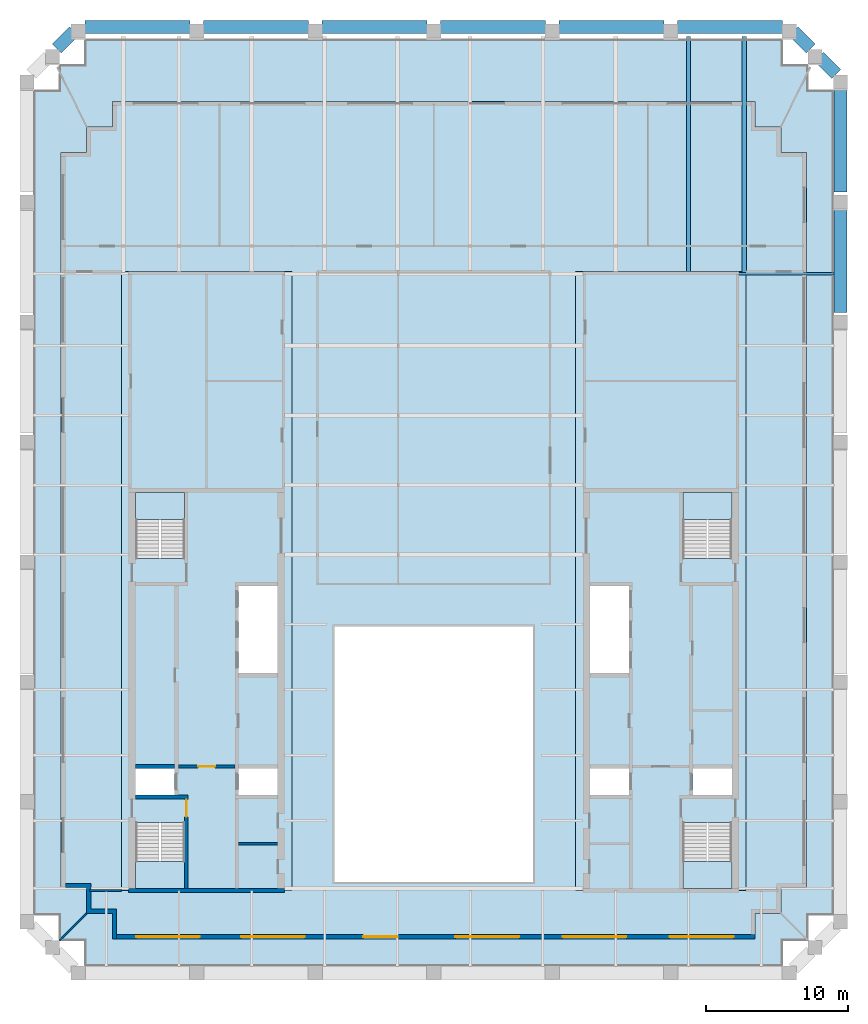
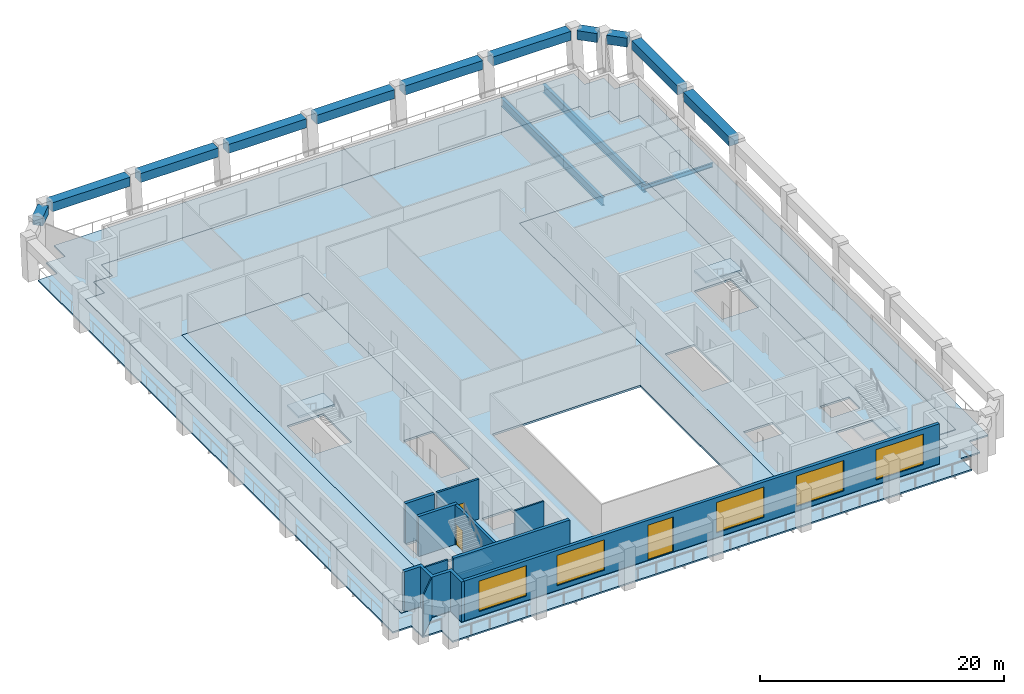
# One storey, part 2 of 7: 14 beams, 10 walls, 8 slabs, 5 windows, 3 doors, 8 openings, 4 elements without a shape of their own.
"""IFC4 building model written with IfcOpenShell, lengths in metres."""

from ifc_helpers import new_model, si_unit, direction, frame, frame_2d, origin, origin_2d, place, context, subcontext, project, spatial, polyline, rectangle, i_section, outline, extrude, material, layer, layer_set, material_profile, profile_set, type_object, element, fill, aggregate, save


model = new_model("IFC4")

# Units and contexts
model_context = context("Model", 3, precision=1e-05, world=origin(), true_north=direction((0.0, 1.0)))
body_context = subcontext(model_context, "Body", "Model", "MODEL_VIEW")
ifc_project = project(units=[si_unit("LENGTHUNIT", "METRE"), si_unit("AREAUNIT", "SQUARE_METRE"), si_unit("VOLUMEUNIT", "CUBIC_METRE"), si_unit("PLANEANGLEUNIT", "RADIAN"), si_unit("MASSUNIT", "GRAM", prefix="KILO")], contexts=[model_context])

# Site, building, storey
site_placement = place(None, origin())
site = spatial("IfcSite", under=ifc_project, at=site_placement, CompositionType="ELEMENT")
building_placement = place(site_placement, origin())
building = spatial("IfcBuilding", under=site, at=building_placement, Name="Ogive Exchange Tower", CompositionType="ELEMENT")
storey_placement = place(building_placement, frame((0.0, 0.0, 330.0)))
storey = spatial("IfcBuildingStorey", under=building, at=storey_placement, Name="L72", CompositionType="ELEMENT", Elevation=330.0)

# Beams
ifc_material_1 = material(Name="Steel ASTM A992 Gr50", Category="steel")
ifc_material_profile_1 = material_profile(ifc_material_1, i_section(OverallWidth=0.2919921875, OverallDepth=0.8359375, WebThickness=0.013916015625, FlangeThickness=0.018798828125, at=origin_2d()), Name="W840x176")
ifc_profile_set_1 = profile_set([ifc_material_profile_1], Name="Steel ASTM A992 Gr50")
beam_type_1 = type_object("IfcBeamType", Name="Floor beam W840x176", PredefinedType="JOIST", material=ifc_profile_set_1)
beam_1_placement = place(storey_placement, frame((17.945556640625, 41.0, -0.617919921875), z_axis=(0.0, 1.0, 0.0), x_axis=(-1.0, 0.0, 0.0)))
element("IfcBeam", 1, at=beam_1_placement, inside=storey, type_object=beam_type_1, Name="Floor beam", PredefinedType="JOIST", context=body_context, shape_type="SweptSolid", body=[
    extrude(i_section(OverallWidth=0.2919921875, OverallDepth=0.8359375, WebThickness=0.013916015625, FlangeThickness=0.018798828125, at=origin_2d()), origin(), (0.0, 0.0, 1.0), 16.554443359375),
])
beam_2_placement = place(storey_placement, frame((21.872802734375, 40.93408203125, -0.617919921875), z_axis=(0.0, 1.0, 0.0), x_axis=(-1.0, 0.0, 0.0)))
element("IfcBeam", 2, at=beam_2_placement, inside=storey, type_object=beam_type_1, Name="Floor beam", PredefinedType="JOIST", context=body_context, shape_type="SweptSolid", body=[
    extrude(i_section(OverallWidth=0.2919921875, OverallDepth=0.8359375, WebThickness=0.013916015625, FlangeThickness=0.018798828125, at=origin_2d()), origin(), (0.0, 0.0, 1.0), 16.620361328125),
])
ifc_material_profile_2 = material_profile(ifc_material_1, i_section(OverallWidth=0.177978515625, OverallDepth=0.406005859375, WebThickness=0.0078125, FlangeThickness=0.0126953125, at=origin_2d()), Name="W410x60")
ifc_profile_set_2 = profile_set([ifc_material_profile_2], Name="Steel ASTM A992 Gr50")
beam_type_2 = type_object("IfcBeamType", Name="Girder W410x60", PredefinedType="BEAM", material=ifc_profile_set_2)
beam_3_placement = place(storey_placement, frame((21.47998046875, 40.844970703125, -0.403076171875), z_axis=(1.0, 0.0, 0.0), x_axis=(0.0, 1.0, 0.0)))
element("IfcBeam", 3, at=beam_3_placement, inside=storey, type_object=beam_type_2, Name="Header girder", PredefinedType="BEAM", context=body_context, shape_type="SweptSolid", body=[
    extrude(i_section(OverallWidth=0.177978515625, OverallDepth=0.406005859375, WebThickness=0.0078125, FlangeThickness=0.0126953125, at=origin_2d()), origin(), (0.0, 0.0, 1.0), 6.719970703125),
])
ifc_material_2 = material(Name="Precast concrete C70/85 (limestone faced)", Category="masonry")
ifc_material_profile_3 = material_profile(ifc_material_2, rectangle(XDim=0.89990234375, YDim=0.89990234375, at=origin_2d()), Name="900 x 900")
ifc_profile_set_3 = profile_set([ifc_material_profile_3], Name="Precast concrete C70/85 (limestone faced)")
beam_type_3 = type_object("IfcBeamType", Name="Precast spandrel 900 x 900 C70/85", PredefinedType="SPANDREL", material=ifc_profile_set_3)
for number, where, z_axis, x_axis, name in (
    (4, (28.64990234375, 38.134521484375, 3.5), (0.0, 1.0, 0.0), (-1.0, 0.0, 0.0), "Spandrel 14"),
    (5, (28.64990234375, 46.62548828125, 3.5), (0.0, 1.0, 0.0), (-1.0, 0.0, 0.0), "Spandrel 15"),
):
    element("IfcBeam", number, at=place(storey_placement, frame(where, z_axis=z_axis, x_axis=x_axis)), inside=storey, type_object=beam_type_3, Name=name, PredefinedType="SPANDREL", context=body_context, shape_type="SweptSolid", body=[
        extrude(rectangle(XDim=0.89990234375, YDim=0.89990234375, at=origin_2d()), origin(), (0.0, 0.0, 1.0), 7.531005859375),
    ])
beam_4_placement = place(storey_placement, frame((28.362060546875, 54.92431640625, 3.5), z_axis=(-0.707106781187, 0.707106781187, 0.0), x_axis=(-0.707106781187, -0.707106781187, 0.0)))
element("IfcBeam", 6, at=beam_4_placement, inside=storey, type_object=beam_type_3, Name="Spandrel 16", PredefinedType="SPANDREL", context=body_context, shape_type="SweptSolid", body=[
    extrude(rectangle(XDim=0.89990234375, YDim=0.89990234375, at=origin_2d()), origin(), (0.0, 0.0, 1.0), 1.731201171875),
])
beam_5_placement = place(storey_placement, frame((26.56201171875, 56.72412109375, 3.5), z_axis=(-0.707036271462, 0.707177283881, 0.0), x_axis=(-0.707177283881, -0.707036271462, 0.0)))
element("IfcBeam", 7, at=beam_5_placement, inside=storey, type_object=beam_type_3, Name="Spandrel 17", PredefinedType="SPANDREL", context=body_context, shape_type="SweptSolid", body=[
    extrude(rectangle(XDim=0.89990234375, YDim=0.89990234375, at=origin_2d()), origin(), (0.0, 0.0, 1.0), 1.7314453125),
])
beam_6_placement = place(storey_placement, frame((24.570068359375, 58.236328125, 3.5), z_axis=(-1.0, 0.0, 0.0), x_axis=(0.0, -1.0, 0.0)))
element("IfcBeam", 8, at=beam_6_placement, inside=storey, type_object=beam_type_3, Name="Spandrel 18", PredefinedType="SPANDREL", context=body_context, shape_type="SweptSolid", body=[
    extrude(rectangle(XDim=0.89990234375, YDim=0.89990234375, at=origin_2d()), origin(), (0.0, 0.0, 1.0), 7.39013671875),
])
beam_7_placement = place(storey_placement, frame((16.219970703125, 58.236328125, 3.5), z_axis=(-1.0, 0.0, 0.0), x_axis=(0.0, -1.0, 0.0)))
element("IfcBeam", 9, at=beam_7_placement, inside=storey, type_object=beam_type_3, Name="Spandrel 19", PredefinedType="SPANDREL", context=body_context, shape_type="SweptSolid", body=[
    extrude(rectangle(XDim=0.89990234375, YDim=0.89990234375, at=origin_2d()), origin(), (0.0, 0.0, 1.0), 7.389892578125),
])
for number, where, z_axis, x_axis, name in (
    (10, (7.8701171875, 58.236328125, 3.5), (-1.0, 0.0, 0.0), (0.0, -1.0, 0.0), "Spandrel 20"),
    (11, (-0.47998046875, 58.236328125, 3.5), (-1.0, 0.0, 0.0), (0.0, -1.0, 0.0), "Spandrel 21"),
):
    element("IfcBeam", number, at=place(storey_placement, frame(where, z_axis=z_axis, x_axis=x_axis)), inside=storey, type_object=beam_type_3, Name=name, PredefinedType="SPANDREL", context=body_context, shape_type="SweptSolid", body=[
        extrude(rectangle(XDim=0.89990234375, YDim=0.89990234375, at=origin_2d()), origin(), (0.0, 0.0, 1.0), 7.39013671875),
    ])
beam_8_placement = place(storey_placement, frame((-8.830078125, 58.236328125, 3.5), z_axis=(-1.0, 0.0, 0.0), x_axis=(0.0, -1.0, 0.0)))
element("IfcBeam", 12, at=beam_8_placement, inside=storey, type_object=beam_type_3, Name="Spandrel 22", PredefinedType="SPANDREL", context=body_context, shape_type="SweptSolid", body=[
    extrude(rectangle(XDim=0.89990234375, YDim=0.89990234375, at=origin_2d()), origin(), (0.0, 0.0, 1.0), 7.389892578125),
])
beam_9_placement = place(storey_placement, frame((-17.179931640625, 58.236328125, 3.5), z_axis=(-1.0, 0.0, 0.0), x_axis=(0.0, -1.0, 0.0)))
element("IfcBeam", 13, at=beam_9_placement, inside=storey, type_object=beam_type_3, Name="Spandrel 23", PredefinedType="SPANDREL", context=body_context, shape_type="SweptSolid", body=[
    extrude(rectangle(XDim=0.89990234375, YDim=0.89990234375, at=origin_2d()), origin(), (0.0, 0.0, 1.0), 7.39013671875),
])
beam_10_placement = place(storey_placement, frame((-25.337890625, 57.948486328125, 3.5), z_axis=(-0.707036271462, -0.707177283881, 0.0), x_axis=(0.707177283881, -0.707036271462, 0.0)))
element("IfcBeam", 14, at=beam_10_placement, inside=storey, type_object=beam_type_3, Name="Spandrel 24", PredefinedType="SPANDREL", context=body_context, shape_type="SweptSolid", body=[
    extrude(rectangle(XDim=0.89990234375, YDim=0.89990234375, at=origin_2d()), origin(), (0.0, 0.0, 1.0), 1.7314453125),
])

# Slabs
ifc_material_3 = material(Name="Concrete C50/60", Category="concrete")
ifc_layer_1 = layer(ifc_material_3, 0.199951171875)
ifc_layer_set_1 = layer_set([ifc_layer_1], Name="Composite floor slab 200")
slab_type_1 = type_object("IfcSlabType", Name="Composite floor slab 200", PredefinedType="FLOOR", material=ifc_layer_set_1)
slab_1_placement = place(storey_placement, frame((0.0, 0.0, -0.199951171875)))
element("IfcSlab", 15, at=slab_1_placement, inside=storey, type_object=slab_type_1, Name="Composite floor slab", PredefinedType="FLOOR", context=body_context, shape_type="SweptSolid", body=[
    extrude(outline(polyline([(-22.64990234375, -4.199951171875), (-24.449951171875, -4.199951171875), (-24.449951171875, -2.39990234375), (-26.25, -2.39990234375), (-26.25, 49.39990234375), (-24.449951171875, 49.39990234375), (-24.449951171875, 51.199951171875), (-22.64990234375, 51.199951171875), (-22.64990234375, 53.0), (22.64990234375, 53.0), (22.64990234375, 51.199951171875), (24.449951171875, 51.199951171875), (24.449951171875, 49.39990234375), (26.25, 49.39990234375), (26.25, -2.39990234375), (24.449951171875, -2.39990234375), (24.449951171875, -4.199951171875), (22.64990234375, -4.199951171875), (22.64990234375, -6.0), (-22.64990234375, -6.0), (-22.64990234375, -4.199951171875)]), holes=[polyline([(7.0, -2.0), (7.0, 16.0), (-7.0, 16.0), (-7.0, -2.0), (7.0, -2.0)]), polyline([(-22.0, -2.60009765625), (-10.0, -2.60009765625), (-10.0, 41.0), (-22.0, 41.0), (-22.0, -2.60009765625)]), polyline([(10.0, -2.60009765625), (22.0, -2.60009765625), (22.0, 41.0), (10.0, 41.0), (10.0, -2.60009765625)])]), origin(), (0.0, 0.0, 1.0), 0.199951171875),
])
ifc_material_4 = material(Name="Concrete C70/85", Category="concrete")
ifc_layer_2 = layer(ifc_material_4, 0.199951171875)
ifc_layer_set_2 = layer_set([ifc_layer_2], Name="Core floor slab 200")
slab_type_2 = type_object("IfcSlabType", Name="Core floor slab 200", PredefinedType="FLOOR", material=ifc_layer_set_2)
slab_2_placement = place(storey_placement, frame((0.0, 0.0, -0.199951171875)))
element("IfcSlab", 16, at=slab_2_placement, inside=storey, type_object=slab_type_2, Name="Core floor slab", PredefinedType="FLOOR", context=body_context, shape_type="SweptSolid", body=[
    extrude(outline(polyline([(-22.0, -2.60009765625), (-22.0, 41.0), (-10.0, 41.0), (-10.0, -2.60009765625), (-22.0, -2.60009765625)]), holes=[polyline([(-17.550048828125, 2.196044921875), (-21.0, 2.196044921875), (-21.0, -2.449951171875), (-17.550048828125, -2.449951171875), (-17.550048828125, 2.196044921875)]), polyline([(-21.0, 5.992919921875), (-21.0, 4.14990234375), (-18.25, 4.14990234375), (-18.25, 5.992919921875), (-21.0, 5.992919921875)]), polyline([(-13.75, 5.992919921875), (-13.75, 4.14990234375), (-11.0, 4.14990234375), (-11.0, 5.992919921875), (-13.75, 5.992919921875)]), polyline([(-11.0, 18.85009765625), (-13.75, 18.85009765625), (-13.75, 12.721435546875), (-11.0, 12.721435546875), (-11.0, 18.85009765625)]), polyline([(-21.0, 25.449951171875), (-21.0, 20.803955078125), (-17.550048828125, 20.803955078125), (-17.550048828125, 25.449951171875), (-21.0, 25.449951171875)])]), origin(), (0.0, 0.0, 1.0), 0.199951171875),
])
slab_3_placement = place(storey_placement, frame((0.0, 0.0, -0.199951171875)))
element("IfcSlab", 17, at=slab_3_placement, inside=storey, type_object=slab_type_2, Name="Core floor slab", PredefinedType="FLOOR", context=body_context, shape_type="SweptSolid", body=[
    extrude(outline(polyline([(10.0, -2.60009765625), (10.0, 41.0), (22.0, 41.0), (22.0, -2.60009765625), (10.0, -2.60009765625)]), holes=[polyline([(21.0, 2.196044921875), (17.550048828125, 2.196044921875), (17.550048828125, -2.449951171875), (21.0, -2.449951171875), (21.0, 2.196044921875)]), polyline([(11.0, 5.992919921875), (11.0, 4.14990234375), (13.75, 4.14990234375), (13.75, 5.992919921875), (11.0, 5.992919921875)]), polyline([(18.25, 5.992919921875), (18.25, 4.14990234375), (21.0, 4.14990234375), (21.0, 5.992919921875), (18.25, 5.992919921875)]), polyline([(13.75, 18.85009765625), (11.0, 18.85009765625), (11.0, 12.721435546875), (13.75, 12.721435546875), (13.75, 18.85009765625)]), polyline([(17.550048828125, 25.449951171875), (17.550048828125, 20.803955078125), (21.0, 20.803955078125), (21.0, 25.449951171875), (17.550048828125, 25.449951171875)])]), origin(), (0.0, 0.0, 1.0), 0.199951171875),
])
ifc_layer_3 = layer(ifc_material_3, 0.14990234375)
ifc_layer_set_3 = layer_set([ifc_layer_3], Name="Loggia deck 150")
slab_type_3 = type_object("IfcSlabType", Name="Loggia deck 150", PredefinedType="FLOOR", material=ifc_layer_set_3)
slab_4_placement = place(storey_placement, frame((0.0, 0.0, -0.199951171875)))
element("IfcSlab", 18, at=slab_4_placement, inside=storey, type_object=slab_type_3, Name="Loggia deck", PredefinedType="FLOOR", context=body_context, shape_type="SweptSolid", body=[
    extrude(outline(polyline([(-24.60009765625, -6.14990234375), (-26.39990234375, -6.14990234375), (-26.39990234375, -4.35009765625), (-28.199951171875, -4.35009765625), (-28.199951171875, 53.804443359375), (-26.39990234375, 53.804443359375), (-26.39990234375, 55.6044921875), (-24.60009765625, 55.6044921875), (-24.60009765625, 57.404541015625), (24.60009765625, 57.404541015625), (24.60009765625, 55.6044921875), (26.39990234375, 55.6044921875), (26.39990234375, 53.804443359375), (28.199951171875, 53.804443359375), (28.199951171875, -4.35009765625), (26.39990234375, -4.35009765625), (26.39990234375, -6.14990234375), (24.60009765625, -6.14990234375), (24.60009765625, -7.949951171875), (-24.60009765625, -7.949951171875), (-24.60009765625, -6.14990234375)]), holes=[polyline([(22.64990234375, -4.199951171875), (24.449951171875, -4.199951171875), (24.449951171875, -2.39990234375), (26.25, -2.39990234375), (26.25, 49.39990234375), (24.449951171875, 49.39990234375), (24.449951171875, 51.199951171875), (22.64990234375, 51.199951171875), (22.64990234375, 53.0), (-22.64990234375, 53.0), (-22.64990234375, 51.199951171875), (-24.449951171875, 51.199951171875), (-24.449951171875, 49.39990234375), (-26.25, 49.39990234375), (-26.25, -2.39990234375), (-24.449951171875, -2.39990234375), (-24.449951171875, -4.199951171875), (-22.64990234375, -4.199951171875), (-22.64990234375, -6.0), (22.64990234375, -6.0), (22.64990234375, -4.199951171875)])]), origin(), (0.0, 0.0, 1.0), 0.14990234375),
])

# Stair, slab
ifc_material_5 = material(Name="Concrete C40/50", Category="concrete")
stair_type = type_object("IfcStairType", Name="Exit stair 1650 wide", PredefinedType="HALF_TURN_STAIR", material=ifc_material_5)
stair_1_placement = place(storey_placement, origin())
stair_1 = element("IfcStair", 19, at=stair_1_placement, inside=storey, type_object=stair_type, Name="L72 exit stair ST1", PredefinedType="HALF_TURN_STAIR")
ifc_layer_4 = layer(ifc_material_5, 0.199951171875)
ifc_layer_set_4 = layer_set([ifc_layer_4], Name="Stair landing 200 slab")
slab_type_4 = type_object("IfcSlabType", Name="Stair landing 200 slab", PredefinedType="LANDING", material=ifc_layer_set_4)
slab_5_placement = place(storey_placement, frame((0.0, 0.0, 1.89990234375)))
slab_5 = element("IfcSlab", 20, at=slab_5_placement, type_object=slab_type_4, Name="ST1 landing 1", PredefinedType="LANDING", context=body_context, shape_type="SweptSolid", body=[
    extrude(outline(polyline([(-21.0, -0.550048828125), (-21.0, -2.449951171875), (-17.550048828125, -2.449951171875), (-17.550048828125, -0.550048828125), (-21.0, -0.550048828125)])), origin(), (0.0, 0.0, 1.0), 0.2001953125),
])
aggregate(stair_1, [slab_5])

stair_2_placement = place(storey_placement, origin())
stair_2 = element("IfcStair", 21, at=stair_2_placement, inside=storey, type_object=stair_type, Name="L72 exit stair ST2", PredefinedType="HALF_TURN_STAIR")
slab_6_placement = place(storey_placement, frame((0.0, 0.0, 1.89990234375)))
slab_6 = element("IfcSlab", 22, at=slab_6_placement, type_object=slab_type_4, Name="ST2 landing 1", PredefinedType="LANDING", context=body_context, shape_type="SweptSolid", body=[
    extrude(outline(polyline([(-17.550048828125, 23.550048828125), (-17.550048828125, 25.449951171875), (-21.0, 25.449951171875), (-21.0, 23.550048828125), (-17.550048828125, 23.550048828125)])), origin(), (0.0, 0.0, 1.0), 0.2001953125),
])
aggregate(stair_2, [slab_6])

stair_3_placement = place(storey_placement, origin())
stair_3 = element("IfcStair", 23, at=stair_3_placement, inside=storey, type_object=stair_type, Name="L72 exit stair ST3", PredefinedType="HALF_TURN_STAIR")
slab_7_placement = place(storey_placement, frame((0.0, 0.0, 1.89990234375)))
slab_7 = element("IfcSlab", 24, at=slab_7_placement, type_object=slab_type_4, Name="ST3 landing 1", PredefinedType="LANDING", context=body_context, shape_type="SweptSolid", body=[
    extrude(outline(polyline([(17.550048828125, -0.550048828125), (17.550048828125, -2.449951171875), (21.0, -2.449951171875), (21.0, -0.550048828125), (17.550048828125, -0.550048828125)])), origin(), (0.0, 0.0, 1.0), 0.2001953125),
])
aggregate(stair_3, [slab_7])

stair_4_placement = place(storey_placement, origin())
stair_4 = element("IfcStair", 25, at=stair_4_placement, inside=storey, type_object=stair_type, Name="L72 exit stair ST4", PredefinedType="HALF_TURN_STAIR")
slab_8_placement = place(storey_placement, frame((0.0, 0.0, 1.89990234375)))
slab_8 = element("IfcSlab", 26, at=slab_8_placement, type_object=slab_type_4, Name="ST4 landing 1", PredefinedType="LANDING", context=body_context, shape_type="SweptSolid", body=[
    extrude(outline(polyline([(21.0, 23.550048828125), (21.0, 25.449951171875), (17.550048828125, 25.449951171875), (17.550048828125, 23.550048828125), (21.0, 23.550048828125)])), origin(), (0.0, 0.0, 1.0), 0.2001953125),
])
aggregate(stair_4, [slab_8])

# Walls
ifc_material_6 = material(Name="Gypsum board partition")
ifc_layer_5 = layer(ifc_material_6, 0.14990234375)
ifc_layer_set_5 = layer_set([ifc_layer_5], Name="Core room partition 150 gypsum")
wall_type_1 = type_object("IfcWallType", Name="Core room partition 150 gypsum", PredefinedType="PARTITIONING", material=ifc_layer_set_5)
wall_1_placement = place(storey_placement, frame((-13.75, 0.699951171875, 0.0), z_axis=(0.0, 0.0, 1.0), x_axis=(1.0, 0.0, 0.0)))
element("IfcWall", 27, at=wall_1_placement, inside=storey, type_object=wall_type_1, Name="W south room partition", PredefinedType="PARTITIONING", context=body_context, shape_type="SweptSolid", body=[
    extrude(rectangle(XDim=2.75, YDim=0.14990234375, at=frame_2d((1.375, 0.0))), origin(), (0.0, 0.0, 1.0), 4.0),
])
ifc_material_7 = material(Name="Fire partition EI 60 150")
ifc_layer_6 = layer(ifc_material_7, 0.14990234375)
ifc_layer_set_6 = layer_set([ifc_layer_6], Name="Fire partition EI 60 150")
wall_type_2 = type_object("IfcWallType", Name="Fire partition EI 60 150", PredefinedType="PARTITIONING", material=ifc_layer_set_6)
wall_2_placement = place(storey_placement, frame((-24.25, -2.60009765625, 0.0), z_axis=(0.0, 0.0, 1.0), x_axis=(1.0, 0.0, 0.0)))
element("IfcWall", 28, at=wall_2_placement, inside=storey, type_object=wall_type_2, Name="L72-PWL-002", PredefinedType="PARTITIONING", context=body_context, shape_type="SweptSolid", body=[
    extrude(rectangle(XDim=2.25, YDim=0.14990234375, at=frame_2d((1.125, 0.0))), origin(), (0.0, 0.0, 1.0), 4.0),
])

# Wall, openings, door, windows
ifc_material_8 = material(Name="Precast concrete C40/50", Category="concrete")
ifc_layer_7 = layer(ifc_material_8, 0.300048828125)
ifc_layer_set_7 = layer_set([ifc_layer_7], Name="Limestone-faced wall 300")
wall_type_3 = type_object("IfcWallType", Name="Limestone-faced wall 300", PredefinedType="STANDARD", material=ifc_layer_set_7)
wall_3_placement = place(storey_placement, frame((-22.35009765625, -5.85009765625, 0.0), z_axis=(0.0, 0.0, 1.0), x_axis=(1.0, 0.0, 0.0)))
wall_3 = element("IfcWall", 29, at=wall_3_placement, inside=storey, type_object=wall_type_3, Name="External wall S1", PredefinedType="STANDARD", context=body_context, shape_type="SweptSolid", body=[
    extrude(rectangle(XDim=45.0, YDim=0.300048828125, at=frame_2d((22.5, 0.0))), origin(), (0.0, 0.0, 1.0), 4.0),
])
opening_1_placement = place(wall_3_placement, frame((1.375, 0.0, 0.449951171875)))
opening_1 = element("IfcOpeningElement", 30, at=opening_1_placement, cuts=wall_3, Name="Opening W1", PredefinedType="OPENING", context=body_context, shape_type="SweptSolid", body=[
    extrude(rectangle(XDim=4.5, YDim=3.050048828125, at=frame_2d((2.25, 1.52490234375))), frame((0.0, 0.159912109375, 0.0), z_axis=(0.0, -1.0, 0.0), x_axis=(1.0, 0.0, 0.0)), (0.0, 0.0, 1.0), 0.320068359375),
])
opening_2_placement = place(wall_3_placement, frame((8.77490234375, 0.0, 0.449951171875)))
opening_2 = element("IfcOpeningElement", 31, at=opening_2_placement, cuts=wall_3, Name="Opening W1", PredefinedType="OPENING", context=body_context, shape_type="SweptSolid", body=[
    extrude(rectangle(XDim=4.5, YDim=3.050048828125, at=frame_2d((2.25, 1.52490234375))), frame((0.0, 0.159912109375, 0.0), z_axis=(0.0, -1.0, 0.0), x_axis=(1.0, 0.0, 0.0)), (0.0, 0.0, 1.0), 0.320068359375),
])
opening_3_placement = place(wall_3_placement, frame((17.375, 0.0, 0.0)))
opening_3 = element("IfcOpeningElement", 32, at=opening_3_placement, cuts=wall_3, Name="Opening D1", PredefinedType="OPENING", context=body_context, shape_type="SweptSolid", body=[
    extrude(rectangle(XDim=2.39990234375, YDim=3.5, at=frame_2d((1.199951171875, 1.75))), frame((0.0, 0.159912109375, 0.0), z_axis=(0.0, -1.0, 0.0), x_axis=(1.0, 0.0, 0.0)), (0.0, 0.0, 1.0), 0.320068359375),
])
opening_4_placement = place(wall_3_placement, frame((23.875, 0.0, 0.449951171875)))
opening_4 = element("IfcOpeningElement", 33, at=opening_4_placement, cuts=wall_3, Name="Opening W1", PredefinedType="OPENING", context=body_context, shape_type="SweptSolid", body=[
    extrude(rectangle(XDim=4.5, YDim=3.050048828125, at=frame_2d((2.25, 1.52490234375))), frame((0.0, 0.159912109375, 0.0), z_axis=(0.0, -1.0, 0.0), x_axis=(1.0, 0.0, 0.0)), (0.0, 0.0, 1.0), 0.320068359375),
])
opening_5_placement = place(wall_3_placement, frame((31.425048828125, 0.0, 0.449951171875)))
opening_5 = element("IfcOpeningElement", 34, at=opening_5_placement, cuts=wall_3, Name="Opening W1", PredefinedType="OPENING", context=body_context, shape_type="SweptSolid", body=[
    extrude(rectangle(XDim=4.5, YDim=3.050048828125, at=frame_2d((2.25, 1.52490234375))), frame((0.0, 0.159912109375, 0.0), z_axis=(0.0, -1.0, 0.0), x_axis=(1.0, 0.0, 0.0)), (0.0, 0.0, 1.0), 0.320068359375),
])
opening_6_placement = place(wall_3_placement, frame((38.97509765625, 0.0, 0.449951171875)))
opening_6 = element("IfcOpeningElement", 35, at=opening_6_placement, cuts=wall_3, Name="Opening W1", PredefinedType="OPENING", context=body_context, shape_type="SweptSolid", body=[
    extrude(rectangle(XDim=4.5, YDim=3.050048828125, at=frame_2d((2.25, 1.52490234375))), frame((0.0, 0.159912109375, 0.0), z_axis=(0.0, -1.0, 0.0), x_axis=(1.0, 0.0, 0.0)), (0.0, 0.0, 1.0), 0.320068359375),
])
ifc_material_9 = material(Name="Clear glass in bronze frame", Category="glass")
door_type_1 = type_object("IfcDoorType", Name="Sliding loggia door 2400 x 3500", OperationType="DOUBLE_DOOR_SLIDING", PredefinedType="DOOR", material=ifc_material_9)
door_1_placement = place(opening_3_placement, origin())
door_1 = element("IfcDoor", 36, at=door_1_placement, inside=storey, type_object=door_type_1, Name="Loggia door S02", OperationType="DOUBLE_DOOR_SLIDING", OverallHeight=3.5, OverallWidth=2.39990234375, PredefinedType="DOOR", context=body_context, shape_type="SweptSolid", body=[
    extrude(rectangle(XDim=2.39990234375, YDim=3.5, at=frame_2d((1.199951171875, 1.75))), frame((0.0, 0.02490234375, 0.0), z_axis=(0.0, -1.0, 0.0), x_axis=(1.0, 0.0, 0.0)), (0.0, 0.0, 1.0), 0.050048828125),
])
fill(opening_3, door_1)
window_type = type_object("IfcWindowType", Name="Twin lancet window 4500 x 3050", PartitioningType="DOUBLE_PANEL_VERTICAL", PredefinedType="WINDOW", material=ifc_material_9)
window_1_placement = place(opening_1_placement, origin())
window_1 = element("IfcWindow", 37, at=window_1_placement, inside=storey, type_object=window_type, Name="Window S00", OverallHeight=3.050048828125, OverallWidth=4.5, PartitioningType="DOUBLE_PANEL_VERTICAL", PredefinedType="WINDOW", context=body_context, shape_type="SweptSolid", body=[
    extrude(rectangle(XDim=4.5, YDim=3.050048828125, at=frame_2d((2.25, 1.52490234375))), frame((0.0, 0.030029296875, 0.0), z_axis=(0.0, -1.0, 0.0), x_axis=(1.0, 0.0, 0.0)), (0.0, 0.0, 1.0), 0.06005859375),
])
fill(opening_1, window_1)
window_2_placement = place(opening_2_placement, origin())
window_2 = element("IfcWindow", 38, at=window_2_placement, inside=storey, type_object=window_type, Name="Window S01", OverallHeight=3.050048828125, OverallWidth=4.5, PartitioningType="DOUBLE_PANEL_VERTICAL", PredefinedType="WINDOW", context=body_context, shape_type="SweptSolid", body=[
    extrude(rectangle(XDim=4.5, YDim=3.050048828125, at=frame_2d((2.25, 1.52490234375))), frame((0.0, 0.030029296875, 0.0), z_axis=(0.0, -1.0, 0.0), x_axis=(1.0, 0.0, 0.0)), (0.0, 0.0, 1.0), 0.06005859375),
])
fill(opening_2, window_2)
window_3_placement = place(opening_4_placement, origin())
window_3 = element("IfcWindow", 39, at=window_3_placement, inside=storey, type_object=window_type, Name="Window S03", OverallHeight=3.050048828125, OverallWidth=4.5, PartitioningType="DOUBLE_PANEL_VERTICAL", PredefinedType="WINDOW", context=body_context, shape_type="SweptSolid", body=[
    extrude(rectangle(XDim=4.5, YDim=3.050048828125, at=frame_2d((2.25, 1.52490234375))), frame((0.0, 0.030029296875, 0.0), z_axis=(0.0, -1.0, 0.0), x_axis=(1.0, 0.0, 0.0)), (0.0, 0.0, 1.0), 0.06005859375),
])
fill(opening_4, window_3)
window_4_placement = place(opening_5_placement, origin())
window_4 = element("IfcWindow", 40, at=window_4_placement, inside=storey, type_object=window_type, Name="Window S04", OverallHeight=3.050048828125, OverallWidth=4.5, PartitioningType="DOUBLE_PANEL_VERTICAL", PredefinedType="WINDOW", context=body_context, shape_type="SweptSolid", body=[
    extrude(rectangle(XDim=4.5, YDim=3.050048828125, at=frame_2d((2.25, 1.52490234375))), frame((0.0, 0.030029296875, 0.0), z_axis=(0.0, -1.0, 0.0), x_axis=(1.0, 0.0, 0.0)), (0.0, 0.0, 1.0), 0.06005859375),
])
fill(opening_5, window_4)
window_5_placement = place(opening_6_placement, origin())
window_5 = element("IfcWindow", 41, at=window_5_placement, inside=storey, type_object=window_type, Name="Window S05", OverallHeight=3.050048828125, OverallWidth=4.5, PartitioningType="DOUBLE_PANEL_VERTICAL", PredefinedType="WINDOW", context=body_context, shape_type="SweptSolid", body=[
    extrude(rectangle(XDim=4.5, YDim=3.050048828125, at=frame_2d((2.25, 1.52490234375))), frame((0.0, 0.030029296875, 0.0), z_axis=(0.0, -1.0, 0.0), x_axis=(1.0, 0.0, 0.0)), (0.0, 0.0, 1.0), 0.06005859375),
])
fill(opening_6, window_5)

# Walls
wall_4_placement = place(storey_placement, origin())
element("IfcWall", 42, at=wall_4_placement, inside=storey, type_object=wall_type_3, Name="External corner wall C4", PredefinedType="STANDARD", context=body_context, shape_type="SweptSolid", body=[
    extrude(outline(polyline([(-22.64990234375, -4.199951171875), (-24.449951171875, -4.199951171875), (-24.449951171875, -2.39990234375), (-25.949951171875, -2.39990234375), (-25.949951171875, -2.10009765625), (-24.14990234375, -2.10009765625), (-24.14990234375, -3.89990234375), (-22.35009765625, -3.89990234375), (-22.35009765625, -6.0), (-22.64990234375, -6.0), (-22.64990234375, -4.199951171875)])), origin(), (0.0, 0.0, 1.0), 4.0),
])
ifc_material_10 = material(Name="Laminated safety glass in steel frame", Category="steel")
ifc_layer_8 = layer(ifc_material_10, 0.10009765625)
ifc_layer_set_8 = layer_set([ifc_layer_8], Name="Loggia end screen 100")
wall_type_4 = type_object("IfcWallType", Name="Loggia end screen 100", PredefinedType="STANDARD", material=ifc_layer_set_8)
wall_5_placement = place(storey_placement, frame((-24.449951171875, -4.199951171875, -0.050048828125), z_axis=(0.0, 0.0, 1.0), x_axis=(-0.707106781187, -0.707106781187, 0.0)))
element("IfcWall", 43, at=wall_5_placement, inside=storey, type_object=wall_type_4, Name="Loggia end screen C4", PredefinedType="STANDARD", context=body_context, shape_type="SweptSolid", body=[
    extrude(rectangle(XDim=2.667236328125, YDim=0.10009765625, at=frame_2d((1.33349609375, 0.0))), origin(), (0.0, 0.0, 1.0), 4.050048828125),
])

# Wall, opening, door
ifc_layer_9 = layer(ifc_material_4, 0.199951171875)
ifc_layer_set_9 = layer_set([ifc_layer_9], Name="RC core wall 200 C70/85")
wall_type_5 = type_object("IfcWallType", Name="RC core wall 200 C70/85", PredefinedType="SHEAR", material=ifc_layer_set_9)
wall_6_placement = place(storey_placement, frame((-18.0, 6.142822265625, 0.0), z_axis=(0.0, 0.0, 1.0), x_axis=(1.0, 0.0, 0.0)))
wall_6 = element("IfcWall", 44, at=wall_6_placement, inside=storey, type_object=wall_type_5, Name="W firefighting lobby wall", PredefinedType="SHEAR", context=body_context, shape_type="SweptSolid", body=[
    extrude(rectangle(XDim=4.0, YDim=0.199951171875, at=frame_2d((2.0, 0.0))), origin(), (0.0, 0.0, 1.0), 4.0),
])
opening_7_placement = place(wall_6_placement, frame((1.39990234375, 0.0, 0.0)))
opening_7 = element("IfcOpeningElement", 45, at=opening_7_placement, cuts=wall_6, Name="Opening L72-C08", PredefinedType="OPENING", context=body_context, shape_type="SweptSolid", body=[
    extrude(rectangle(XDim=1.199951171875, YDim=2.10009765625, at=frame_2d((0.60009765625, 1.050048828125))), frame((0.0, 0.10986328125, 0.0), z_axis=(0.0, -1.0, 0.0), x_axis=(1.0, 0.0, 0.0)), (0.0, 0.0, 1.0), 0.219970703125),
])
ifc_material_11 = material(Name="Steel fire door", Category="steel")
door_type_2 = type_object("IfcDoorType", Name="Firefighting lobby door FD60 1200 x 2100", OperationType="NOTDEFINED", PredefinedType="DOOR", material=ifc_material_11)
door_2_placement = place(opening_7_placement, frame((1.199951171875, 0.0, 0.0), z_axis=(0.0, 0.0, 1.0), x_axis=(-1.0, 0.0, 0.0)))
door_2 = element("IfcDoor", 46, at=door_2_placement, inside=storey, type_object=door_type_2, Name="Firefighting lobby door", ObjectType="CD3", OperationType="SINGLE_SWING_RIGHT", OverallHeight=2.10009765625, OverallWidth=1.199951171875, PredefinedType="DOOR", context=body_context, shape_type="SweptSolid", body=[
    extrude(rectangle(XDim=1.199951171875, YDim=2.10009765625, at=frame_2d((0.60009765625, 1.050048828125))), frame((0.0, 0.02490234375, 0.0), z_axis=(0.0, -1.0, 0.0), x_axis=(1.0, 0.0, 0.0)), (0.0, 0.0, 1.0), 0.050048828125),
])
fill(opening_7, door_2)

ifc_layer_10 = layer(ifc_material_4, 0.25)
ifc_layer_set_10 = layer_set([ifc_layer_10], Name="RC core wall 250 C70/85")
wall_type_6 = type_object("IfcWallType", Name="RC core wall 250 C70/85", PredefinedType="SHEAR", material=ifc_layer_set_10)
wall_7_placement = place(storey_placement, frame((-17.425048828125, -2.449951171875, 0.0), z_axis=(0.0, 0.0, 1.0), x_axis=(0.0, 1.0, 0.0)))
wall_7 = element("IfcWall", 47, at=wall_7_placement, inside=storey, type_object=wall_type_6, Name="W stair S front wall", PredefinedType="SHEAR", context=body_context, shape_type="SweptSolid", body=[
    extrude(rectangle(XDim=6.300048828125, YDim=0.25, at=frame_2d((3.14990234375, 0.0))), origin(), (0.0, 0.0, 1.0), 4.0),
])
opening_8_placement = place(wall_7_placement, frame((5.050048828125, 0.0, 0.0)))
opening_8 = element("IfcOpeningElement", 48, at=opening_8_placement, cuts=wall_7, Name="Opening L72-C10", PredefinedType="OPENING", context=body_context, shape_type="SweptSolid", body=[
    extrude(rectangle(XDim=1.199951171875, YDim=2.10009765625, at=frame_2d((0.60009765625, 1.050048828125))), frame((0.0, 0.135009765625, 0.0), z_axis=(0.0, -1.0, 0.0), x_axis=(1.0, 0.0, 0.0)), (0.0, 0.0, 1.0), 0.27001953125),
])
door_type_3 = type_object("IfcDoorType", Name="Stair door FD90 1200 x 2100", OperationType="NOTDEFINED", PredefinedType="DOOR", material=ifc_material_11)
door_3_placement = place(opening_8_placement, origin())
door_3 = element("IfcDoor", 49, at=door_3_placement, inside=storey, type_object=door_type_3, Name="Stair door", ObjectType="CD5", OperationType="SINGLE_SWING_LEFT", OverallHeight=2.10009765625, OverallWidth=1.199951171875, PredefinedType="DOOR", context=body_context, shape_type="SweptSolid", body=[
    extrude(rectangle(XDim=1.199951171875, YDim=2.10009765625, at=frame_2d((0.60009765625, 1.050048828125))), frame((0.0, 0.02490234375, 0.0), z_axis=(0.0, -1.0, 0.0), x_axis=(1.0, 0.0, 0.0)), (0.0, 0.0, 1.0), 0.050048828125),
])
fill(opening_8, door_3)

# Walls
ifc_layer_11 = layer(ifc_material_4, 0.300048828125)
ifc_layer_set_11 = layer_set([ifc_layer_11], Name="RC core wall 300 C70/85")
wall_type_7 = type_object("IfcWallType", Name="RC core wall 300 C70/85", PredefinedType="SHEAR", material=ifc_layer_set_11)
wall_8_placement = place(storey_placement, frame((-21.5, -2.60009765625, 0.0), z_axis=(0.0, 0.0, 1.0), x_axis=(1.0, 0.0, 0.0)))
element("IfcWall", 50, at=wall_8_placement, inside=storey, type_object=wall_type_7, Name="W south end wall", PredefinedType="SHEAR", context=body_context, shape_type="SweptSolid", body=[
    extrude(rectangle(XDim=11.0, YDim=0.300048828125, at=frame_2d((5.5, 0.0))), origin(), (0.0, 0.0, 1.0), 4.0),
])
wall_9_placement = place(storey_placement, frame((-21.0, 4.0, 0.0), z_axis=(0.0, 0.0, 1.0), x_axis=(1.0, 0.0, 0.0)))
element("IfcWall", 51, at=wall_9_placement, inside=storey, type_object=wall_type_7, Name="W stair S north wall", PredefinedType="SHEAR", context=body_context, shape_type="SweptSolid", body=[
    extrude(rectangle(XDim=3.699951171875, YDim=0.300048828125, at=frame_2d((1.85009765625, 0.0))), origin(), (0.0, 0.0, 1.0), 4.0),
])
wall_10_placement = place(storey_placement, frame((-21.0, 6.142822265625, 0.0), z_axis=(0.0, 0.0, 1.0), x_axis=(1.0, 0.0, 0.0)))
element("IfcWall", 52, at=wall_10_placement, inside=storey, type_object=wall_type_7, Name="W row A divider 1", PredefinedType="SHEAR", context=body_context, shape_type="SweptSolid", body=[
    extrude(rectangle(XDim=2.75, YDim=0.300048828125, at=frame_2d((1.375, 0.0))), origin(), (0.0, 0.0, 1.0), 4.0),
])

save(model, "model.ifc")
